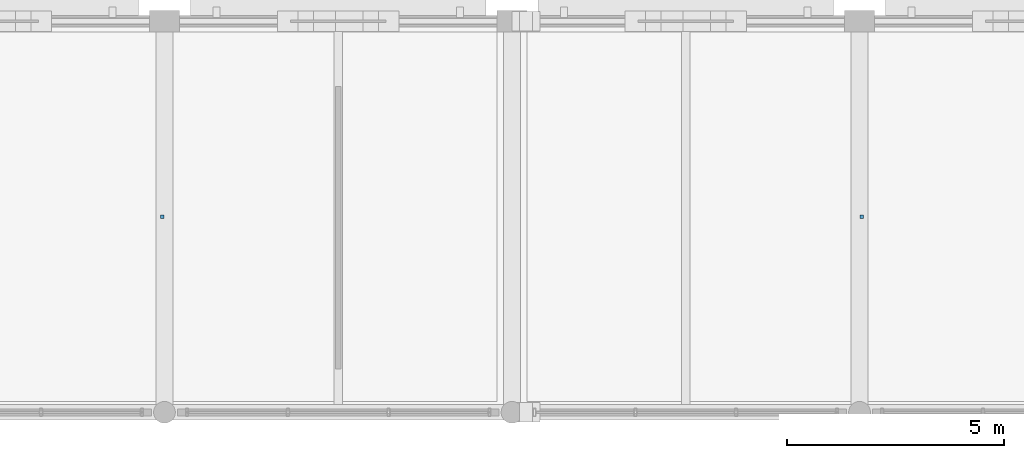
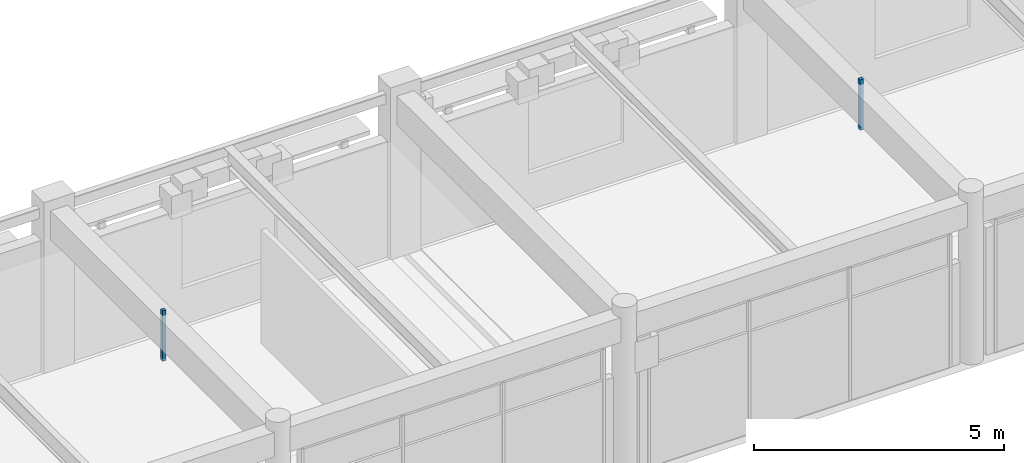
# One storey, part 114 of 126: 2 discrete accessories.
"""IFC4 building model written with IfcOpenShell, lengths in metres."""

from ifc_helpers import new_model, si_unit, direction, frame, origin, origin_2d, place, context, subcontext, project, spatial, rectangle, extrude, material, layer, layer_set, type_object, element, save


model = new_model("IFC4")

# Units and contexts
model_context = context("Model", 3, precision=1e-05, world=origin(), true_north=direction((0.0, 1.0)))
body_context = subcontext(model_context, "Body", "Model", "MODEL_VIEW")
ifc_project = project(units=[si_unit("LENGTHUNIT", "METRE"), si_unit("AREAUNIT", "SQUARE_METRE"), si_unit("VOLUMEUNIT", "CUBIC_METRE"), si_unit("PLANEANGLEUNIT", "RADIAN"), si_unit("MASSUNIT", "GRAM", prefix="KILO")], contexts=[model_context])

# Site, building, storey
site_placement = place(None, origin())
site = spatial("IfcSite", under=ifc_project, at=site_placement, CompositionType="ELEMENT")
building_placement = place(site_placement, origin())
building = spatial("IfcBuilding", under=site, at=building_placement, Name="Varnabhumi Central Station", CompositionType="ELEMENT")
storey_placement = place(building_placement, frame((0.0, 0.0, 16.199951171875)))
storey = spatial("IfcBuildingStorey", under=building, at=storey_placement, Name="L03", CompositionType="ELEMENT", Elevation=16.199951171875)

# Discrete accessories
ifc_material = material(Name="Structural steel E350", Category="steel")
ifc_layer = layer(ifc_material, 0.159912109375, Name="Structural steel E350", Category="steel")
ifc_layer_set = layer_set([ifc_layer], Name="Structural steel E350")
discrete_accessory_type = type_object("IfcDiscreteAccessoryType", Name="ACC-SHADE-BRKT", PredefinedType="BRACKET", material=ifc_layer_set)
for number, where, z_axis, x_axis, name in (
    (1, (55.949951171875, 111.5, 2.840087890625), (0.0, 0.0, 1.0), (1.0, 0.0, 0.0), "Civic Railway Heritage and Community Hall Ceiling Hanger"),
    (2, (72.050048828125, 111.5, 2.840087890625), (0.0, 0.0, 1.0), (1.0, 0.0, 0.0), "Civic Railway Heritage and Community Hall Ceiling Hanger"),
):
    element("IfcDiscreteAccessory", number, at=place(storey_placement, frame(where, z_axis=z_axis, x_axis=x_axis)), inside=storey, type_object=discrete_accessory_type, Name=name, PredefinedType="BRACKET", context=body_context, shape_type="SweptSolid", body=[
        extrude(rectangle(XDim=0.080078125, YDim=0.080078125, at=origin_2d()), origin(), (0.0, 0.0, 1.0), 1.22998046875),
    ])

save(model, "model.ifc")
